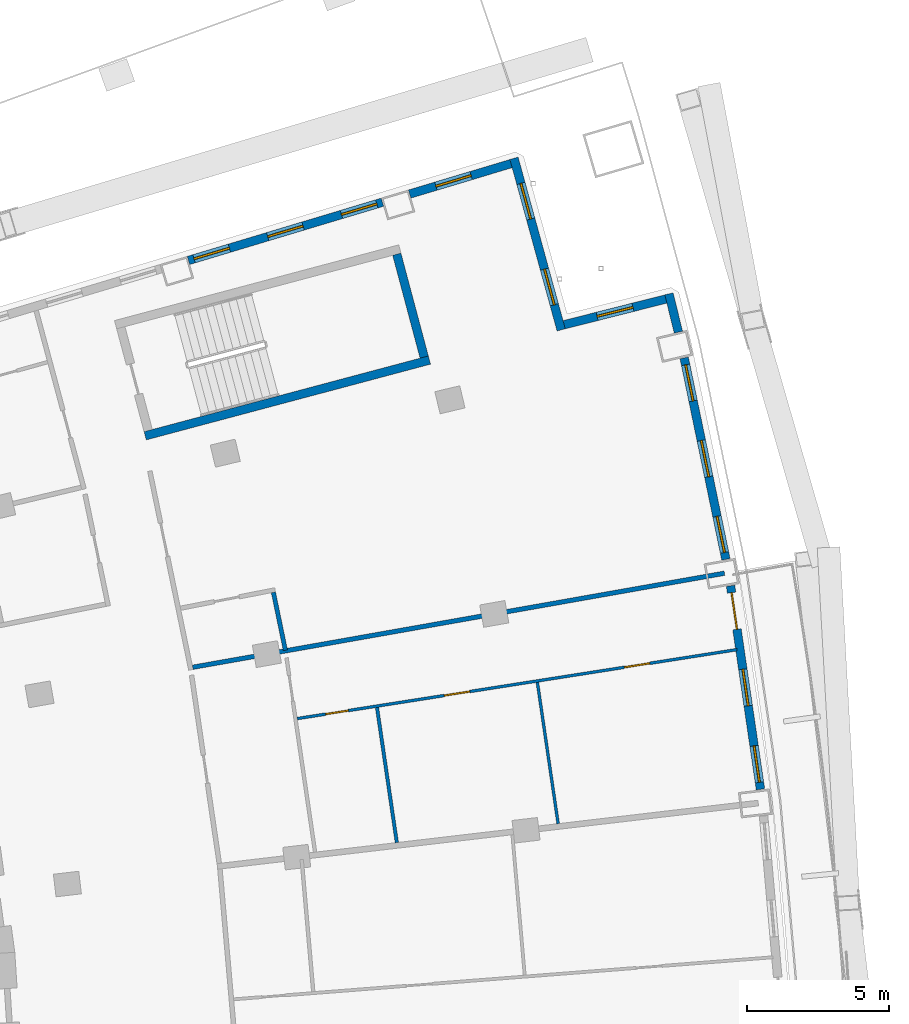
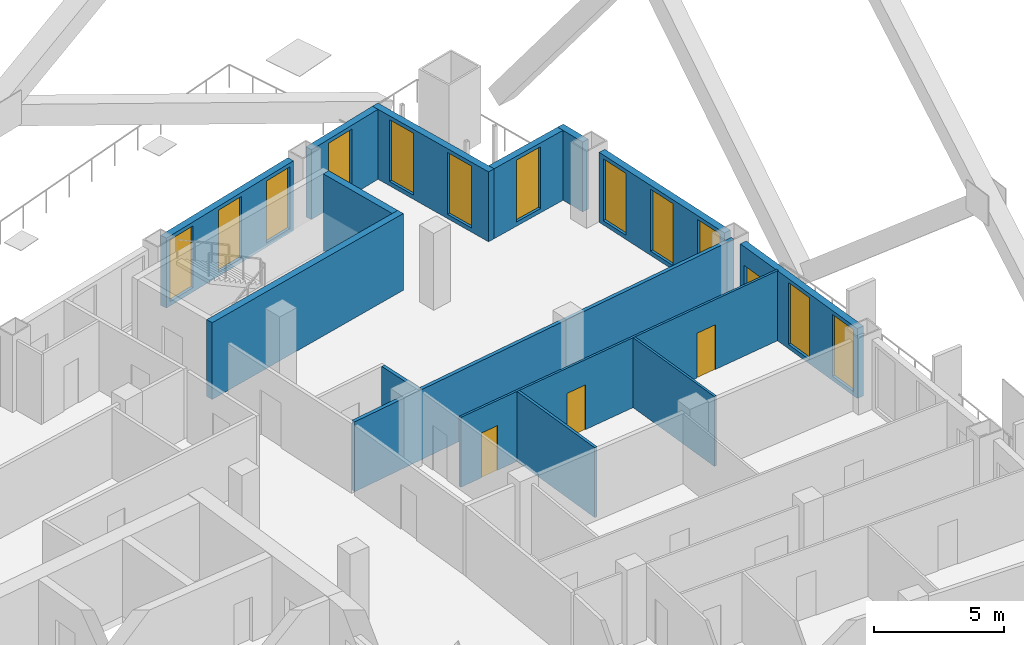
# One storey, part 16 of 20: 14 walls, 12 windows, 4 doors, 16 openings.
"""IFC4 building model written with IfcOpenShell, lengths in metres."""

from ifc_helpers import new_model, si_unit, direction, frame, frame_2d, origin, place, context, subcontext, project, spatial, rectangle, extrude, material, layer, layer_set, type_object, element, fill, save


model = new_model("IFC4")

# Units and contexts
model_context = context("Model", 3, precision=1e-05, world=origin(), true_north=direction((0.0, 1.0)))
body_context = subcontext(model_context, "Body", "Model", "MODEL_VIEW")
ifc_project = project(units=[si_unit("LENGTHUNIT", "METRE"), si_unit("AREAUNIT", "SQUARE_METRE"), si_unit("VOLUMEUNIT", "CUBIC_METRE"), si_unit("PLANEANGLEUNIT", "RADIAN"), si_unit("MASSUNIT", "GRAM", prefix="KILO")], contexts=[model_context])

# Site, building, storey
site_placement = place(None, origin())
site = spatial("IfcSite", under=ifc_project, at=site_placement, CompositionType="ELEMENT")
building_placement = place(site_placement, origin())
building = spatial("IfcBuilding", under=site, at=building_placement, Name="Alderwake Tower", CompositionType="ELEMENT")
storey_placement = place(building_placement, frame((0.0, 0.0, 138.800048828125)))
storey = spatial("IfcBuildingStorey", under=building, at=storey_placement, Name="L33", CompositionType="ELEMENT", Elevation=138.800048828125)

# Walls
ifc_material_1 = material(Name="Concrete C70/85", Category="concrete")
ifc_layer_1 = layer(ifc_material_1, 0.300048828125)
ifc_layer_set_1 = layer_set([ifc_layer_1], Name="Core wall stair enclosure 300 C70-85")
wall_type_1 = type_object("IfcWallType", Name="Core wall stair enclosure 300 C70-85", PredefinedType="SHEAR", material=ifc_layer_set_1)
wall_1_placement = place(storey_placement, frame((37.75390625, 90.268798828125, 0.0), z_axis=(0.0, 0.0, 1.0), x_axis=(0.966309214305, 0.257383958996, 0.0)))
element("IfcWall", 1, at=wall_1_placement, inside=storey, type_object=wall_type_1, Name="Core wall CW.084", PredefinedType="SHEAR", context=body_context, shape_type="SweptSolid", body=[
    extrude(rectangle(XDim=10.360107421875, YDim=0.300048828125, at=frame_2d((5.18017578125, 0.0))), origin(), (0.0, 0.0, 1.0), 3.599853515625),
])
wall_2_placement = place(storey_placement, frame((47.581298828125, 93.041748046875, 0.0), z_axis=(0.0, 0.0, 1.0), x_axis=(-0.257366821694, 0.966313778796, 0.0)))
element("IfcWall", 2, at=wall_2_placement, inside=storey, type_object=wall_type_1, Name="Core wall CW.081", PredefinedType="SHEAR", context=body_context, shape_type="SweptSolid", body=[
    extrude(rectangle(XDim=3.749755859375, YDim=0.300048828125, at=frame_2d((1.875, 0.0))), origin(), (0.0, 0.0, 1.0), 3.599853515625),
])
ifc_material_2 = material(Name="Gypsum board on metal studs, rated")
ifc_layer_2 = layer(ifc_material_2, 0.159912109375)
ifc_layer_set_2 = layer_set([ifc_layer_2], Name="Corridor wall 160")
wall_type_2 = type_object("IfcWallType", Name="Corridor wall 160", PredefinedType="PARTITIONING", material=ifc_layer_set_2)
wall_3_placement = place(storey_placement, frame((58.157958984375, 85.427978515625, 0.0), z_axis=(0.0, 0.0, 1.0), x_axis=(-0.9847161674, -0.174166786904, 0.0)))
element("IfcWall", 3, at=wall_3_placement, inside=storey, type_object=wall_type_2, Name="WL/L33/W29", PredefinedType="PARTITIONING", context=body_context, shape_type="SweptSolid", body=[
    extrude(rectangle(XDim=19.02197265625, YDim=0.159912109375, at=frame_2d((9.510986328125, 0.0))), origin(), (0.0, 0.0, 1.0), 3.280029296875),
])

# Wall, openings, door, windows
ifc_material_3 = material(Name="Precast concrete C50/60 spandrel panel", Category="concrete")
ifc_layer_3 = layer(ifc_material_3, 0.300048828125)
ifc_layer_set_3 = layer_set([ifc_layer_3], Name="External wall EW1 Precast concrete C50/60 spandrel")
wall_type_3 = type_object("IfcWallType", Name="External wall EW1 Precast concrete C50/60 spandrel", PredefinedType="SOLIDWALL", material=ifc_layer_set_3)
wall_4_placement = place(storey_placement, frame((59.426513671875, 77.81689453125, 0.0), z_axis=(0.0, 0.0, 1.0), x_axis=(-0.145331014962, 0.989383088642, 0.0)))
wall_4 = element("IfcWall", 4, at=wall_4_placement, inside=storey, type_object=wall_type_3, Name="External wall 18", PredefinedType="SOLIDWALL", context=body_context, shape_type="SweptSolid", body=[
    extrude(rectangle(XDim=7.245361328125, YDim=0.300048828125, at=frame_2d((3.62255859375, 0.0))), origin(), (0.0, 0.0, 1.0), 3.280029296875),
])
opening_1_placement = place(wall_4_placement, frame((0.2470703125, 0.0, 0.199951171875)))
opening_1 = element("IfcOpeningElement", 5, at=opening_1_placement, cuts=wall_4, Name="Opening W1", PredefinedType="OPENING", context=body_context, shape_type="SweptSolid", body=[
    extrude(rectangle(XDim=1.300048828125, YDim=2.89990234375, at=frame_2d((0.64990234375, 1.449951171875))), frame((0.0, 0.159912109375, 0.0), z_axis=(0.0, -1.0, 0.0), x_axis=(1.0, 0.0, 0.0)), (0.0, 0.0, 1.0), 0.320068359375),
])
opening_2_placement = place(wall_4_placement, frame((2.97265625, 0.0, 0.199951171875)))
opening_2 = element("IfcOpeningElement", 6, at=opening_2_placement, cuts=wall_4, Name="Opening W1", PredefinedType="OPENING", context=body_context, shape_type="SweptSolid", body=[
    extrude(rectangle(XDim=1.300048828125, YDim=2.89990234375, at=frame_2d((0.64990234375, 1.449951171875))), frame((0.0, 0.159912109375, 0.0), z_axis=(0.0, -1.0, 0.0), x_axis=(1.0, 0.0, 0.0)), (0.0, 0.0, 1.0), 0.320068359375),
])
opening_3_placement = place(wall_4_placement, frame((5.698486328125, 0.0, 0.0)))
opening_3 = element("IfcOpeningElement", 7, at=opening_3_placement, cuts=wall_4, Name="Opening D08", PredefinedType="OPENING", context=body_context, shape_type="SweptSolid", body=[
    extrude(rectangle(XDim=1.300048828125, YDim=2.39990234375, at=frame_2d((0.64990234375, 1.199951171875))), frame((0.0, 0.159912109375, 0.0), z_axis=(0.0, -1.0, 0.0), x_axis=(1.0, 0.0, 0.0)), (0.0, 0.0, 1.0), 0.320068359375),
])
ifc_material_4 = material(Name="Bronze tinted glass in aluminium frame", Category="aluminium")
door_type_1 = type_object("IfcDoorType", Name="Balcony door BD sliding", OperationType="SLIDING_TO_LEFT", PredefinedType="DOOR", material=ifc_material_4)
door_1_placement = place(opening_3_placement, origin())
door_1 = element("IfcDoor", 8, at=door_1_placement, inside=storey, type_object=door_type_1, Name="Door D08", OperationType="SLIDING_TO_LEFT", OverallHeight=2.39990234375, OverallWidth=1.300048828125, PredefinedType="DOOR", context=body_context, shape_type="SweptSolid", body=[
    extrude(rectangle(XDim=1.300048828125, YDim=2.39990234375, at=frame_2d((0.64990234375, 1.199951171875))), frame((0.0, 0.02490234375, 0.0), z_axis=(0.0, -1.0, 0.0), x_axis=(1.0, 0.0, 0.0)), (0.0, 0.0, 1.0), 0.050048828125),
])
fill(opening_3, door_1)
ifc_material_5 = material(Name="Bronze tinted glass in aluminium frame", Category="aluminium")
window_type = type_object("IfcWindowType", Name="Window W1 tall fixed and vent", PartitioningType="DOUBLE_PANEL_VERTICAL", PredefinedType="WINDOW", material=ifc_material_5)
window_1_placement = place(opening_1_placement, origin())
window_1 = element("IfcWindow", 9, at=window_1_placement, inside=storey, type_object=window_type, Name="Window W1 tall fixed and vent", OverallHeight=2.89990234375, OverallWidth=1.300048828125, PartitioningType="DOUBLE_PANEL_VERTICAL", PredefinedType="WINDOW", context=body_context, shape_type="SweptSolid", body=[
    extrude(rectangle(XDim=1.300048828125, YDim=2.89990234375, at=frame_2d((0.64990234375, 1.449951171875))), frame((0.0, 0.030029296875, 0.0), z_axis=(0.0, -1.0, 0.0), x_axis=(1.0, 0.0, 0.0)), (0.0, 0.0, 1.0), 0.06005859375),
])
fill(opening_1, window_1)
window_2_placement = place(opening_2_placement, origin())
window_2 = element("IfcWindow", 10, at=window_2_placement, inside=storey, type_object=window_type, Name="Window W1 tall fixed and vent", OverallHeight=2.89990234375, OverallWidth=1.300048828125, PartitioningType="DOUBLE_PANEL_VERTICAL", PredefinedType="WINDOW", context=body_context, shape_type="SweptSolid", body=[
    extrude(rectangle(XDim=1.300048828125, YDim=2.89990234375, at=frame_2d((0.64990234375, 1.449951171875))), frame((0.0, 0.030029296875, 0.0), z_axis=(0.0, -1.0, 0.0), x_axis=(1.0, 0.0, 0.0)), (0.0, 0.0, 1.0), 0.06005859375),
])
fill(opening_2, window_2)

# Wall, openings, windows
wall_5_placement = place(storey_placement, frame((58.208984375, 85.916748046875, 0.0), z_axis=(0.0, 0.0, 1.0), x_axis=(-0.202747108549, 0.97923113205, 0.0)))
wall_5 = element("IfcWall", 11, at=wall_5_placement, inside=storey, type_object=wall_type_3, Name="External wall 19", PredefinedType="SOLIDWALL", context=body_context, shape_type="SweptSolid", body=[
    extrude(rectangle(XDim=7.245361328125, YDim=0.300048828125, at=frame_2d((3.62255859375, 0.0))), origin(), (0.0, 0.0, 1.0), 3.280029296875),
])
opening_4_placement = place(wall_5_placement, frame((0.2470703125, 0.0, 0.199951171875)))
opening_4 = element("IfcOpeningElement", 12, at=opening_4_placement, cuts=wall_5, Name="Opening W1", PredefinedType="OPENING", context=body_context, shape_type="SweptSolid", body=[
    extrude(rectangle(XDim=1.300048828125, YDim=2.89990234375, at=frame_2d((0.64990234375, 1.449951171875))), frame((0.0, 0.159912109375, 0.0), z_axis=(0.0, -1.0, 0.0), x_axis=(1.0, 0.0, 0.0)), (0.0, 0.0, 1.0), 0.320068359375),
])
opening_5_placement = place(wall_5_placement, frame((2.97265625, 0.0, 0.199951171875)))
opening_5 = element("IfcOpeningElement", 13, at=opening_5_placement, cuts=wall_5, Name="Opening W1", PredefinedType="OPENING", context=body_context, shape_type="SweptSolid", body=[
    extrude(rectangle(XDim=1.300048828125, YDim=2.89990234375, at=frame_2d((0.64990234375, 1.449951171875))), frame((0.0, 0.159912109375, 0.0), z_axis=(0.0, -1.0, 0.0), x_axis=(1.0, 0.0, 0.0)), (0.0, 0.0, 1.0), 0.320068359375),
])
opening_6_placement = place(wall_5_placement, frame((5.698486328125, 0.0, 0.199951171875)))
opening_6 = element("IfcOpeningElement", 14, at=opening_6_placement, cuts=wall_5, Name="Opening W1", PredefinedType="OPENING", context=body_context, shape_type="SweptSolid", body=[
    extrude(rectangle(XDim=1.300048828125, YDim=2.89990234375, at=frame_2d((0.64990234375, 1.449951171875))), frame((0.0, 0.159912109375, 0.0), z_axis=(0.0, -1.0, 0.0), x_axis=(1.0, 0.0, 0.0)), (0.0, 0.0, 1.0), 0.320068359375),
])
window_3_placement = place(opening_4_placement, origin())
window_3 = element("IfcWindow", 15, at=window_3_placement, inside=storey, type_object=window_type, Name="Window W1 tall fixed and vent", OverallHeight=2.89990234375, OverallWidth=1.300048828125, PartitioningType="DOUBLE_PANEL_VERTICAL", PredefinedType="WINDOW", context=body_context, shape_type="SweptSolid", body=[
    extrude(rectangle(XDim=1.300048828125, YDim=2.89990234375, at=frame_2d((0.64990234375, 1.449951171875))), frame((0.0, 0.030029296875, 0.0), z_axis=(0.0, -1.0, 0.0), x_axis=(1.0, 0.0, 0.0)), (0.0, 0.0, 1.0), 0.06005859375),
])
fill(opening_4, window_3)
window_4_placement = place(opening_5_placement, origin())
window_4 = element("IfcWindow", 16, at=window_4_placement, inside=storey, type_object=window_type, Name="Window W1 tall fixed and vent", OverallHeight=2.89990234375, OverallWidth=1.300048828125, PartitioningType="DOUBLE_PANEL_VERTICAL", PredefinedType="WINDOW", context=body_context, shape_type="SweptSolid", body=[
    extrude(rectangle(XDim=1.300048828125, YDim=2.89990234375, at=frame_2d((0.64990234375, 1.449951171875))), frame((0.0, 0.030029296875, 0.0), z_axis=(0.0, -1.0, 0.0), x_axis=(1.0, 0.0, 0.0)), (0.0, 0.0, 1.0), 0.06005859375),
])
fill(opening_5, window_4)
window_5_placement = place(opening_6_placement, origin())
window_5 = element("IfcWindow", 17, at=window_5_placement, inside=storey, type_object=window_type, Name="Window W1 tall fixed and vent", OverallHeight=2.89990234375, OverallWidth=1.300048828125, PartitioningType="DOUBLE_PANEL_VERTICAL", PredefinedType="WINDOW", context=body_context, shape_type="SweptSolid", body=[
    extrude(rectangle(XDim=1.300048828125, YDim=2.89990234375, at=frame_2d((0.64990234375, 1.449951171875))), frame((0.0, 0.030029296875, 0.0), z_axis=(0.0, -1.0, 0.0), x_axis=(1.0, 0.0, 0.0)), (0.0, 0.0, 1.0), 0.06005859375),
])
fill(opening_6, window_5)

# Wall
wall_6_placement = place(storey_placement, frame((56.535400390625, 93.917724609375, 0.0), z_axis=(0.0, 0.0, 1.0), x_axis=(-0.238283937636, 0.971195533899, 0.0)))
element("IfcWall", 18, at=wall_6_placement, inside=storey, type_object=wall_type_3, Name="External wall 20", PredefinedType="SOLIDWALL", context=body_context, shape_type="SweptSolid", body=[
    extrude(rectangle(XDim=1.392333984375, YDim=0.300048828125, at=frame_2d((0.6962890625, 0.0))), origin(), (0.0, 0.0, 1.0), 3.280029296875),
])

# Wall, opening, window
ifc_material_6 = material(Name="Bronze metal cladding on lightweight framing")
ifc_layer_4 = layer(ifc_material_6, 0.300048828125)
ifc_layer_set_4 = layer_set([ifc_layer_4], Name="External wall EW2 bronze metal cladding")
wall_type_4 = type_object("IfcWallType", Name="External wall EW2 bronze metal cladding", PredefinedType="SOLIDWALL", material=ifc_layer_set_4)
wall_7_placement = place(storey_placement, frame((56.09375, 95.087646484375, 0.0), z_axis=(0.0, 0.0, 1.0), x_axis=(-0.96941119971, -0.245442306614, 0.0)))
wall_7 = element("IfcWall", 19, at=wall_7_placement, inside=storey, type_object=wall_type_4, Name="External wall 21", PredefinedType="SOLIDWALL", context=body_context, shape_type="SweptSolid", body=[
    extrude(rectangle(XDim=3.6943359375, YDim=0.300048828125, at=frame_2d((1.84716796875, 0.0))), origin(), (0.0, 0.0, 1.0), 3.280029296875),
])
opening_7_placement = place(wall_7_placement, frame((1.197021484375, 0.0, 0.199951171875)))
opening_7 = element("IfcOpeningElement", 20, at=opening_7_placement, cuts=wall_7, Name="Opening W1", PredefinedType="OPENING", context=body_context, shape_type="SweptSolid", body=[
    extrude(rectangle(XDim=1.300048828125, YDim=2.89990234375, at=frame_2d((0.64990234375, 1.449951171875))), frame((0.0, 0.159912109375, 0.0), z_axis=(0.0, -1.0, 0.0), x_axis=(1.0, 0.0, 0.0)), (0.0, 0.0, 1.0), 0.320068359375),
])
window_6_placement = place(opening_7_placement, origin())
window_6 = element("IfcWindow", 21, at=window_6_placement, inside=storey, type_object=window_type, Name="Window W1 tall fixed and vent", OverallHeight=2.89990234375, OverallWidth=1.300048828125, PartitioningType="DOUBLE_PANEL_VERTICAL", PredefinedType="WINDOW", context=body_context, shape_type="SweptSolid", body=[
    extrude(rectangle(XDim=1.300048828125, YDim=2.89990234375, at=frame_2d((0.64990234375, 1.449951171875))), frame((0.0, 0.030029296875, 0.0), z_axis=(0.0, -1.0, 0.0), x_axis=(1.0, 0.0, 0.0)), (0.0, 0.0, 1.0), 0.06005859375),
])
fill(opening_7, window_6)

# Wall, openings, windows
wall_8_placement = place(storey_placement, frame((52.40673828125, 93.99951171875, 0.0), z_axis=(0.0, 0.0, 1.0), x_axis=(-0.265084072533, 0.964225302764, 0.0)))
wall_8 = element("IfcWall", 22, at=wall_8_placement, inside=storey, type_object=wall_type_4, Name="External wall 22", PredefinedType="SOLIDWALL", context=body_context, shape_type="SweptSolid", body=[
    extrude(rectangle(XDim=6.269287109375, YDim=0.300048828125, at=frame_2d((3.134765625, 0.0))), origin(), (0.0, 0.0, 1.0), 3.280029296875),
])
opening_8_placement = place(wall_8_placement, frame((0.917236328125, 0.0, 0.199951171875)))
opening_8 = element("IfcOpeningElement", 23, at=opening_8_placement, cuts=wall_8, Name="Opening W1", PredefinedType="OPENING", context=body_context, shape_type="SweptSolid", body=[
    extrude(rectangle(XDim=1.300048828125, YDim=2.89990234375, at=frame_2d((0.64990234375, 1.449951171875))), frame((0.0, 0.159912109375, 0.0), z_axis=(0.0, -1.0, 0.0), x_axis=(1.0, 0.0, 0.0)), (0.0, 0.0, 1.0), 0.320068359375),
])
opening_9_placement = place(wall_8_placement, frame((4.052001953125, 0.0, 0.199951171875)))
opening_9 = element("IfcOpeningElement", 24, at=opening_9_placement, cuts=wall_8, Name="Opening W1", PredefinedType="OPENING", context=body_context, shape_type="SweptSolid", body=[
    extrude(rectangle(XDim=1.300048828125, YDim=2.89990234375, at=frame_2d((0.64990234375, 1.449951171875))), frame((0.0, 0.159912109375, 0.0), z_axis=(0.0, -1.0, 0.0), x_axis=(1.0, 0.0, 0.0)), (0.0, 0.0, 1.0), 0.320068359375),
])
window_7_placement = place(opening_8_placement, origin())
window_7 = element("IfcWindow", 25, at=window_7_placement, inside=storey, type_object=window_type, Name="Window W1 tall fixed and vent", OverallHeight=2.89990234375, OverallWidth=1.300048828125, PartitioningType="DOUBLE_PANEL_VERTICAL", PredefinedType="WINDOW", context=body_context, shape_type="SweptSolid", body=[
    extrude(rectangle(XDim=1.300048828125, YDim=2.89990234375, at=frame_2d((0.64990234375, 1.449951171875))), frame((0.0, 0.030029296875, 0.0), z_axis=(0.0, -1.0, 0.0), x_axis=(1.0, 0.0, 0.0)), (0.0, 0.0, 1.0), 0.06005859375),
])
fill(opening_8, window_7)
window_8_placement = place(opening_9_placement, origin())
window_8 = element("IfcWindow", 26, at=window_8_placement, inside=storey, type_object=window_type, Name="Window W1 tall fixed and vent", OverallHeight=2.89990234375, OverallWidth=1.300048828125, PartitioningType="DOUBLE_PANEL_VERTICAL", PredefinedType="WINDOW", context=body_context, shape_type="SweptSolid", body=[
    extrude(rectangle(XDim=1.300048828125, YDim=2.89990234375, at=frame_2d((0.64990234375, 1.449951171875))), frame((0.0, 0.030029296875, 0.0), z_axis=(0.0, -1.0, 0.0), x_axis=(1.0, 0.0, 0.0)), (0.0, 0.0, 1.0), 0.06005859375),
])
fill(opening_9, window_8)

# Wall, opening, window
wall_9_placement = place(storey_placement, frame((50.640869140625, 99.856689453125, 0.0), z_axis=(0.0, 0.0, 1.0), x_axis=(-0.957777625264, -0.287510035552, 0.0)))
wall_9 = element("IfcWall", 27, at=wall_9_placement, inside=storey, type_object=wall_type_4, Name="External wall 23", PredefinedType="SOLIDWALL", context=body_context, shape_type="SweptSolid", body=[
    extrude(rectangle(XDim=3.7294921875, YDim=0.300048828125, at=frame_2d((1.86474609375, 0.0))), origin(), (0.0, 0.0, 1.0), 3.280029296875),
])
opening_10_placement = place(wall_9_placement, frame((1.465576171875, 0.0, 0.199951171875)))
opening_10 = element("IfcOpeningElement", 28, at=opening_10_placement, cuts=wall_9, Name="Opening W1", PredefinedType="OPENING", context=body_context, shape_type="SweptSolid", body=[
    extrude(rectangle(XDim=1.300048828125, YDim=2.89990234375, at=frame_2d((0.64990234375, 1.449951171875))), frame((0.0, 0.159912109375, 0.0), z_axis=(0.0, -1.0, 0.0), x_axis=(1.0, 0.0, 0.0)), (0.0, 0.0, 1.0), 0.320068359375),
])
window_9_placement = place(opening_10_placement, origin())
window_9 = element("IfcWindow", 29, at=window_9_placement, inside=storey, type_object=window_type, Name="Window W1 tall fixed and vent", OverallHeight=2.89990234375, OverallWidth=1.300048828125, PartitioningType="DOUBLE_PANEL_VERTICAL", PredefinedType="WINDOW", context=body_context, shape_type="SweptSolid", body=[
    extrude(rectangle(XDim=1.300048828125, YDim=2.89990234375, at=frame_2d((0.64990234375, 1.449951171875))), frame((0.0, 0.030029296875, 0.0), z_axis=(0.0, -1.0, 0.0), x_axis=(1.0, 0.0, 0.0)), (0.0, 0.0, 1.0), 0.06005859375),
])
fill(opening_10, window_9)

# Wall, openings, windows
wall_10_placement = place(storey_placement, frame((46.107666015625, 98.495849609375, 0.0), z_axis=(0.0, 0.0, 1.0), x_axis=(-0.957760288356, -0.287567783397, 0.0)))
wall_10 = element("IfcWall", 30, at=wall_10_placement, inside=storey, type_object=wall_type_4, Name="External wall 24", PredefinedType="SOLIDWALL", context=body_context, shape_type="SweptSolid", body=[
    extrude(rectangle(XDim=7.1298828125, YDim=0.300048828125, at=frame_2d((3.56494140625, 0.0))), origin(), (0.0, 0.0, 1.0), 3.280029296875),
])
opening_11_placement = place(wall_10_placement, frame((0.203857421875, 0.0, 0.199951171875)))
opening_11 = element("IfcOpeningElement", 31, at=opening_11_placement, cuts=wall_10, Name="Opening W1", PredefinedType="OPENING", context=body_context, shape_type="SweptSolid", body=[
    extrude(rectangle(XDim=1.300048828125, YDim=2.89990234375, at=frame_2d((0.64990234375, 1.449951171875))), frame((0.0, 0.159912109375, 0.0), z_axis=(0.0, -1.0, 0.0), x_axis=(1.0, 0.0, 0.0)), (0.0, 0.0, 1.0), 0.320068359375),
])
opening_12_placement = place(wall_10_placement, frame((2.914794921875, 0.0, 0.199951171875)))
opening_12 = element("IfcOpeningElement", 32, at=opening_12_placement, cuts=wall_10, Name="Opening W1", PredefinedType="OPENING", context=body_context, shape_type="SweptSolid", body=[
    extrude(rectangle(XDim=1.300048828125, YDim=2.89990234375, at=frame_2d((0.64990234375, 1.449951171875))), frame((0.0, 0.159912109375, 0.0), z_axis=(0.0, -1.0, 0.0), x_axis=(1.0, 0.0, 0.0)), (0.0, 0.0, 1.0), 0.320068359375),
])
opening_13_placement = place(wall_10_placement, frame((5.626220703125, 0.0, 0.199951171875)))
opening_13 = element("IfcOpeningElement", 33, at=opening_13_placement, cuts=wall_10, Name="Opening W1", PredefinedType="OPENING", context=body_context, shape_type="SweptSolid", body=[
    extrude(rectangle(XDim=1.300048828125, YDim=2.89990234375, at=frame_2d((0.64990234375, 1.449951171875))), frame((0.0, 0.159912109375, 0.0), z_axis=(0.0, -1.0, 0.0), x_axis=(1.0, 0.0, 0.0)), (0.0, 0.0, 1.0), 0.320068359375),
])
window_10_placement = place(opening_11_placement, origin())
window_10 = element("IfcWindow", 34, at=window_10_placement, inside=storey, type_object=window_type, Name="Window W1 tall fixed and vent", OverallHeight=2.89990234375, OverallWidth=1.300048828125, PartitioningType="DOUBLE_PANEL_VERTICAL", PredefinedType="WINDOW", context=body_context, shape_type="SweptSolid", body=[
    extrude(rectangle(XDim=1.300048828125, YDim=2.89990234375, at=frame_2d((0.64990234375, 1.449951171875))), frame((0.0, 0.030029296875, 0.0), z_axis=(0.0, -1.0, 0.0), x_axis=(1.0, 0.0, 0.0)), (0.0, 0.0, 1.0), 0.06005859375),
])
fill(opening_11, window_10)
window_11_placement = place(opening_12_placement, origin())
window_11 = element("IfcWindow", 35, at=window_11_placement, inside=storey, type_object=window_type, Name="Window W1 tall fixed and vent", OverallHeight=2.89990234375, OverallWidth=1.300048828125, PartitioningType="DOUBLE_PANEL_VERTICAL", PredefinedType="WINDOW", context=body_context, shape_type="SweptSolid", body=[
    extrude(rectangle(XDim=1.300048828125, YDim=2.89990234375, at=frame_2d((0.64990234375, 1.449951171875))), frame((0.0, 0.030029296875, 0.0), z_axis=(0.0, -1.0, 0.0), x_axis=(1.0, 0.0, 0.0)), (0.0, 0.0, 1.0), 0.06005859375),
])
fill(opening_12, window_11)
window_12_placement = place(opening_13_placement, origin())
window_12 = element("IfcWindow", 36, at=window_12_placement, inside=storey, type_object=window_type, Name="Window W1 tall fixed and vent", OverallHeight=2.89990234375, OverallWidth=1.300048828125, PartitioningType="DOUBLE_PANEL_VERTICAL", PredefinedType="WINDOW", context=body_context, shape_type="SweptSolid", body=[
    extrude(rectangle(XDim=1.300048828125, YDim=2.89990234375, at=frame_2d((0.64990234375, 1.449951171875))), frame((0.0, 0.030029296875, 0.0), z_axis=(0.0, -1.0, 0.0), x_axis=(1.0, 0.0, 0.0)), (0.0, 0.0, 1.0), 0.06005859375),
])
fill(opening_13, window_12)

# Wall
ifc_material_7 = material(Name="Gypsum shaft wall system, rated")
ifc_layer_5 = layer(ifc_material_7, 0.14990234375)
ifc_layer_set_5 = layer_set([ifc_layer_5], Name="Riser and shaft wall 150")
wall_type_5 = type_object("IfcWallType", Name="Riser and shaft wall 150", PredefinedType="PARTITIONING", material=ifc_layer_set_5)
wall_11_placement = place(storey_placement, frame((42.69189453125, 82.714599609375, 0.0), z_axis=(0.0, 0.0, 1.0), x_axis=(-0.202423435623, 0.979298091855, 0.0)))
element("IfcWall", 37, at=wall_11_placement, inside=storey, type_object=wall_type_5, Name="WL/L33/W10", PredefinedType="PARTITIONING", context=body_context, shape_type="SweptSolid", body=[
    extrude(rectangle(XDim=2.0830078125, YDim=0.14990234375, at=frame_2d((1.04150390625, 0.0))), origin(), (0.0, 0.0, 1.0), 3.280029296875),
])

# Wall, openings, doors
ifc_material_8 = material(Name="Gypsum board on metal studs")
ifc_layer_6 = layer(ifc_material_8, 0.10009765625)
ifc_layer_set_6 = layer_set([ifc_layer_6], Name="Unit partition 100")
wall_type_6 = type_object("IfcWallType", Name="Unit partition 100", PredefinedType="PARTITIONING", material=ifc_layer_set_6)
wall_12_placement = place(storey_placement, frame((58.60205078125, 82.737060546875, 0.0), z_axis=(0.0, 0.0, 1.0), x_axis=(-0.98792476, -0.154934400888, 0.0)))
wall_12 = element("IfcWall", 38, at=wall_12_placement, inside=storey, type_object=wall_type_6, Name="WL/L33/W49", PredefinedType="PARTITIONING", context=body_context, shape_type="SweptSolid", body=[
    extrude(rectangle(XDim=15.68212890625, YDim=0.10009765625, at=frame_2d((7.841064453125, 0.0))), origin(), (0.0, 0.0, 1.0), 3.280029296875),
])
opening_14_placement = place(wall_12_placement, frame((9.535400390625, 0.0, 0.0)))
opening_14 = element("IfcOpeningElement", 39, at=opening_14_placement, cuts=wall_12, Name="Opening R09-U07.1", PredefinedType="OPENING", context=body_context, shape_type="SweptSolid", body=[
    extrude(rectangle(XDim=0.89990234375, YDim=2.10009765625, at=frame_2d((0.449951171875, 1.050048828125))), frame((0.0, 0.06005859375, 0.0), z_axis=(0.0, -1.0, 0.0), x_axis=(1.0, 0.0, 0.0)), (0.0, 0.0, 1.0), 0.1201171875),
])
opening_15_placement = place(wall_12_placement, frame((13.86328125, 0.0, 0.0)))
opening_15 = element("IfcOpeningElement", 40, at=opening_15_placement, cuts=wall_12, Name="Opening R09-U07.4", PredefinedType="OPENING", context=body_context, shape_type="SweptSolid", body=[
    extrude(rectangle(XDim=0.800048828125, YDim=2.10009765625, at=frame_2d((0.39990234375, 1.050048828125))), frame((0.0, 0.06005859375, 0.0), z_axis=(0.0, -1.0, 0.0), x_axis=(1.0, 0.0, 0.0)), (0.0, 0.0, 1.0), 0.1201171875),
])
opening_16_placement = place(wall_12_placement, frame((3.11328125, 0.0, 0.0)))
opening_16 = element("IfcOpeningElement", 41, at=opening_16_placement, cuts=wall_12, Name="Opening R09-U07.5", PredefinedType="OPENING", context=body_context, shape_type="SweptSolid", body=[
    extrude(rectangle(XDim=0.89990234375, YDim=2.10009765625, at=frame_2d((0.449951171875, 1.050048828125))), frame((0.0, 0.06005859375, 0.0), z_axis=(0.0, -1.0, 0.0), x_axis=(1.0, 0.0, 0.0)), (0.0, 0.0, 1.0), 0.1201171875),
])
ifc_material_9 = material(Name="Painted timber leaf", Category="wood")
door_type_2 = type_object("IfcDoorType", Name="Bathroom door 800", OperationType="SINGLE_SWING_LEFT", PredefinedType="DOOR", material=ifc_material_9)
door_2_placement = place(opening_15_placement, origin())
door_2 = element("IfcDoor", 42, at=door_2_placement, inside=storey, type_object=door_type_2, Name="DR/L33/U07.4", OperationType="SINGLE_SWING_LEFT", OverallHeight=2.10009765625, OverallWidth=0.800048828125, PredefinedType="DOOR", context=body_context, shape_type="SweptSolid", body=[
    extrude(rectangle(XDim=0.800048828125, YDim=2.10009765625, at=frame_2d((0.39990234375, 1.050048828125))), frame((0.0, 0.02490234375, 0.0), z_axis=(0.0, -1.0, 0.0), x_axis=(1.0, 0.0, 0.0)), (0.0, 0.0, 1.0), 0.050048828125),
])
fill(opening_15, door_2)
ifc_material_10 = material(Name="Painted timber leaf", Category="wood")
door_type_3 = type_object("IfcDoorType", Name="Room door 900", OperationType="SINGLE_SWING_LEFT", PredefinedType="DOOR", material=ifc_material_10)
door_3_placement = place(opening_14_placement, origin())
door_3 = element("IfcDoor", 43, at=door_3_placement, inside=storey, type_object=door_type_3, Name="DR/L33/U07.1", OperationType="SINGLE_SWING_LEFT", OverallHeight=2.10009765625, OverallWidth=0.89990234375, PredefinedType="DOOR", context=body_context, shape_type="SweptSolid", body=[
    extrude(rectangle(XDim=0.89990234375, YDim=2.10009765625, at=frame_2d((0.449951171875, 1.050048828125))), frame((0.0, 0.02490234375, 0.0), z_axis=(0.0, -1.0, 0.0), x_axis=(1.0, 0.0, 0.0)), (0.0, 0.0, 1.0), 0.050048828125),
])
fill(opening_14, door_3)
door_4_placement = place(opening_16_placement, origin())
door_4 = element("IfcDoor", 44, at=door_4_placement, inside=storey, type_object=door_type_3, Name="DR/L33/U07.5", OperationType="SINGLE_SWING_LEFT", OverallHeight=2.10009765625, OverallWidth=0.89990234375, PredefinedType="DOOR", context=body_context, shape_type="SweptSolid", body=[
    extrude(rectangle(XDim=0.89990234375, YDim=2.10009765625, at=frame_2d((0.449951171875, 1.050048828125))), frame((0.0, 0.02490234375, 0.0), z_axis=(0.0, -1.0, 0.0), x_axis=(1.0, 0.0, 0.0)), (0.0, 0.0, 1.0), 0.050048828125),
])
fill(opening_16, door_4)

# Walls
wall_13_placement = place(storey_placement, frame((52.299560546875, 76.60498046875, 0.0), z_axis=(0.0, 0.0, 1.0), x_axis=(-0.145312403771, 0.989385822271, 0.0)))
element("IfcWall", 45, at=wall_13_placement, inside=storey, type_object=wall_type_6, Name="WL/L33/W54", PredefinedType="PARTITIONING", context=body_context, shape_type="SweptSolid", body=[
    extrude(rectangle(XDim=5.031982421875, YDim=0.10009765625, at=frame_2d((2.51611328125, 0.0))), origin(), (0.0, 0.0, 1.0), 3.280029296875),
])
ifc_material_11 = material(Name="Moisture resistant gypsum board on metal studs")
ifc_layer_7 = layer(ifc_material_11, 0.1201171875)
ifc_layer_set_7 = layer_set([ifc_layer_7], Name="Wet room partition 120")
wall_type_7 = type_object("IfcWallType", Name="Wet room partition 120", PredefinedType="PARTITIONING", material=ifc_layer_set_7)
wall_14_placement = place(storey_placement, frame((46.617431640625, 75.93896484375, 0.0), z_axis=(0.0, 0.0, 1.0), x_axis=(-0.145238137818, 0.989396726962, 0.0)))
element("IfcWall", 46, at=wall_14_placement, inside=storey, type_object=wall_type_7, Name="WL/L33/W43", PredefinedType="PARTITIONING", context=body_context, shape_type="SweptSolid", body=[
    extrude(rectangle(XDim=4.8076171875, YDim=0.1201171875, at=frame_2d((2.40380859375, 0.0))), origin(), (0.0, 0.0, 1.0), 3.280029296875),
])

save(model, "model.ifc")
